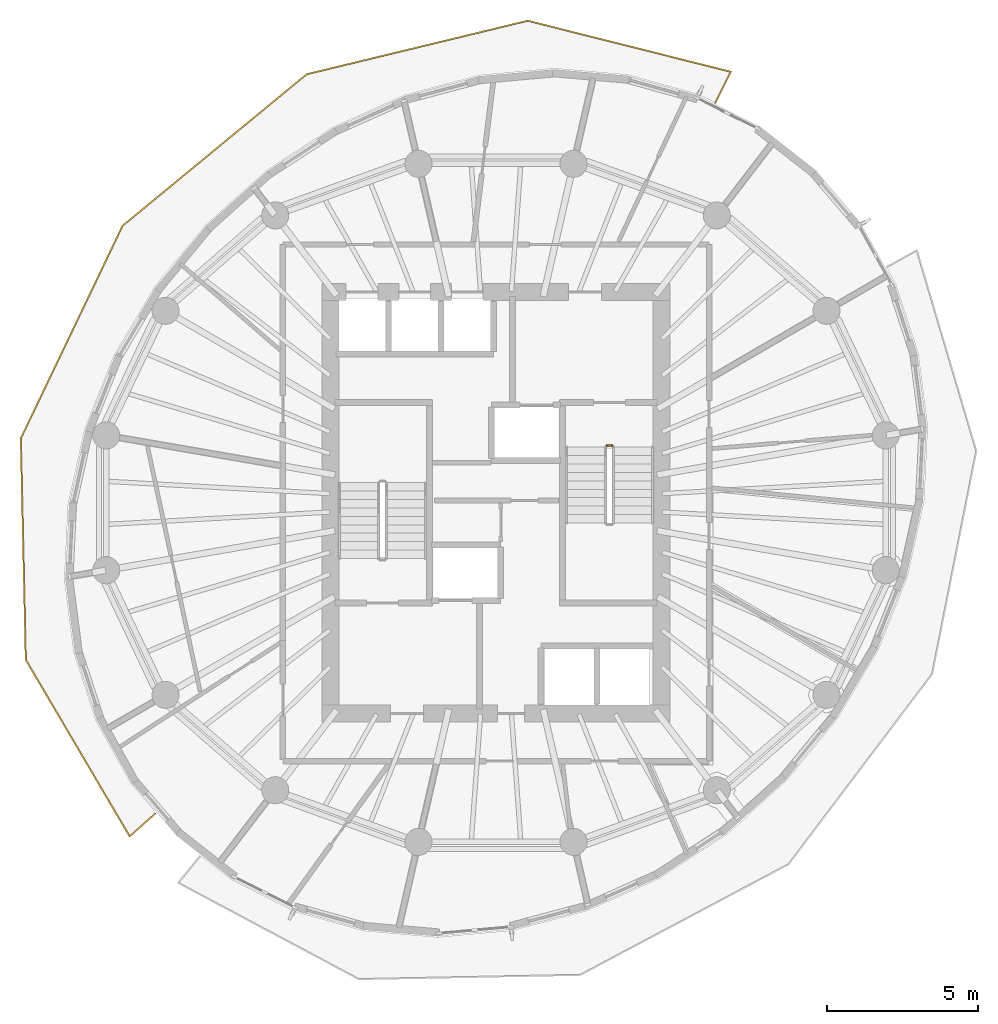
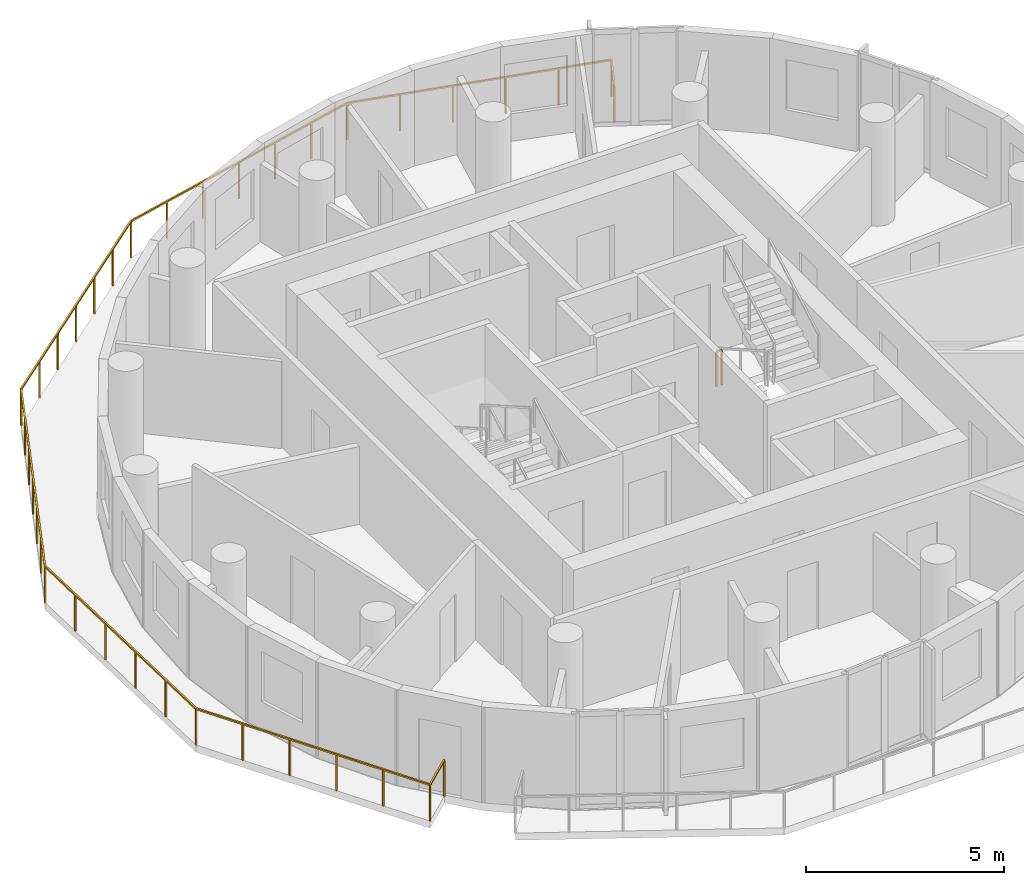
# One storey, part 9 of 10: 2 railings.
"""IFC4 building model written with IfcOpenShell, lengths in metres."""

from ifc_helpers import new_model, si_unit, direction, frame, origin, origin_2d, place, context, subcontext, project, spatial, rectangle, extrude, material, type_object, element, save


model = new_model("IFC4")

# Units and contexts
model_context = context("Model", 3, precision=1e-05, world=origin(), true_north=direction((0.0, 1.0)))
body_context = subcontext(model_context, "Body", "Model", "MODEL_VIEW")
ifc_project = project(units=[si_unit("LENGTHUNIT", "METRE"), si_unit("AREAUNIT", "SQUARE_METRE"), si_unit("VOLUMEUNIT", "CUBIC_METRE"), si_unit("PLANEANGLEUNIT", "RADIAN"), si_unit("MASSUNIT", "GRAM", prefix="KILO")], contexts=[model_context])

# Site, building, storey
site_placement = place(None, origin())
site = spatial("IfcSite", under=ifc_project, at=site_placement, CompositionType="ELEMENT")
building_placement = place(site_placement, origin())
building = spatial("IfcBuilding", under=site, at=building_placement, Name="Veldorim Arch Residences", CompositionType="ELEMENT")
storey_placement = place(building_placement, frame((0.0, 0.0, 188.639892578125)))
storey = spatial("IfcBuildingStorey", under=building, at=storey_placement, Name="L56", CompositionType="ELEMENT", Elevation=188.639892578125)

# Railings
ifc_material_1 = material(Name="Aluminium", Category="aluminium")
railing_type_1 = type_object("IfcRailingType", Name="Balcony & Terrace Laminated Glass Balustrade 1150", PredefinedType="BALUSTRADE", material=ifc_material_1)
railing_1_placement = place(storey_placement, frame((39.28564453125, 37.28955078125, 0.0)))
element("IfcRailing", 1, at=railing_1_placement, inside=storey, type_object=railing_type_1, Name="L56 crescent balcony safety balustrade A", PredefinedType="BALUSTRADE", context=body_context, shape_type="SweptSolid", body=[
    extrude(rectangle(XDim=0.048095703125, YDim=0.048095703125, at=origin_2d()), frame((0.0, 0.0, 1.1259765625), z_axis=(0.447723022826, 0.894172295943, 0.0), x_axis=(-0.894172295943, 0.447723022826, 0.0)), (0.0, 0.0, 1.0), 1.150146484375),
    extrude(rectangle(XDim=0.048095703125, YDim=0.048095703125, at=origin_2d()), frame((0.514892578125, 1.0283203125, 1.1259765625), z_axis=(-0.969867306895, 0.243633755906, 0.0), x_axis=(-0.243633755906, -0.969867306895, 0.0)), (0.0, 0.0, 1.0), 6.95654296875),
    extrude(rectangle(XDim=0.048095703125, YDim=0.048095703125, at=origin_2d()), frame((-6.23193359375, 2.72314453125, 1.1259765625), z_axis=(-0.971974853361, -0.235084845181, 0.0), x_axis=(0.235084845181, -0.971974853361, 0.0)), (0.0, 0.0, 1.0), 7.55517578125),
    extrude(rectangle(XDim=0.048095703125, YDim=0.048095703125, at=origin_2d()), frame((-13.575439453125, 0.947021484375, 1.1259765625), z_axis=(-0.772143770454, -0.63544787178, 0.0), x_axis=(0.63544787178, -0.772143770454, 0.0)), (0.0, 0.0, 1.0), 7.919189453125),
    extrude(rectangle(XDim=0.048095703125, YDim=0.048095703125, at=origin_2d()), frame((-19.690185546875, -4.085205078125, 1.1259765625), z_axis=(-0.431709195484, -0.902012843886, 0.0), x_axis=(0.902012843886, -0.431709195484, 0.0)), (0.0, 0.0, 1.0), 7.831298828125),
    extrude(rectangle(XDim=0.048095703125, YDim=0.048095703125, at=origin_2d()), frame((-23.071044921875, -11.149169921875, 1.1259765625), z_axis=(0.022566116971, -0.99974535276, 0.0), x_axis=(0.99974535276, 0.022566116971, 0.0)), (0.0, 0.0, 1.0), 7.35693359375),
    extrude(rectangle(XDim=0.048095703125, YDim=0.048095703125, at=origin_2d()), frame((-22.905029296875, -18.504150390625, 1.1259765625), z_axis=(0.506946480166, -0.861977532333, 0.0), x_axis=(0.861977532333, 0.506946480166, 0.0)), (0.0, 0.0, 1.0), 6.809326171875),
    extrude(rectangle(XDim=0.048095703125, YDim=0.048095703125, at=origin_2d()), frame((-19.453125, -24.37353515625, 1.1259765625), z_axis=(0.745485535106, 0.666521805305, 0.0), x_axis=(-0.666521805305, 0.745485535106, 0.0)), (0.0, 0.0, 1.0), 1.150146484375),
    extrude(rectangle(XDim=0.0419921875, YDim=0.0419921875, at=origin_2d()), origin(), (0.0, 0.0, 1.0), 1.101806640625),
    extrude(rectangle(XDim=0.0419921875, YDim=0.0419921875, at=origin_2d()), frame((0.514892578125, 1.0283203125, 0.0)), (0.0, 0.0, 1.0), 1.101806640625),
    extrude(rectangle(XDim=0.0419921875, YDim=0.0419921875, at=origin_2d()), frame((-0.83447265625, 1.3671875, 0.0)), (0.0, 0.0, 1.0), 1.101806640625),
    extrude(rectangle(XDim=0.0419921875, YDim=0.0419921875, at=origin_2d()), frame((-2.183837890625, 1.706298828125, 0.0)), (0.0, 0.0, 1.0), 1.101806640625),
    extrude(rectangle(XDim=0.0419921875, YDim=0.0419921875, at=origin_2d()), frame((-3.533203125, 2.045166015625, 0.0)), (0.0, 0.0, 1.0), 1.101806640625),
    extrude(rectangle(XDim=0.0419921875, YDim=0.0419921875, at=origin_2d()), frame((-4.882568359375, 2.38427734375, 0.0)), (0.0, 0.0, 1.0), 1.101806640625),
    extrude(rectangle(XDim=0.0419921875, YDim=0.0419921875, at=origin_2d()), frame((-6.23193359375, 2.72314453125, 0.0)), (0.0, 0.0, 1.0), 1.101806640625),
    extrude(rectangle(XDim=0.0419921875, YDim=0.0419921875, at=origin_2d()), frame((-7.455810546875, 2.42724609375, 0.0)), (0.0, 0.0, 1.0), 1.101806640625),
    extrude(rectangle(XDim=0.0419921875, YDim=0.0419921875, at=origin_2d()), frame((-8.6796875, 2.131103515625, 0.0)), (0.0, 0.0, 1.0), 1.101806640625),
    extrude(rectangle(XDim=0.0419921875, YDim=0.0419921875, at=origin_2d()), frame((-9.90380859375, 1.8349609375, 0.0)), (0.0, 0.0, 1.0), 1.101806640625),
    extrude(rectangle(XDim=0.0419921875, YDim=0.0419921875, at=origin_2d()), frame((-11.127685546875, 1.5390625, 0.0)), (0.0, 0.0, 1.0), 1.101806640625),
    extrude(rectangle(XDim=0.0419921875, YDim=0.0419921875, at=origin_2d()), frame((-12.3515625, 1.2431640625, 0.0)), (0.0, 0.0, 1.0), 1.101806640625),
    extrude(rectangle(XDim=0.0419921875, YDim=0.0419921875, at=origin_2d()), frame((-13.575439453125, 0.947021484375, 0.0)), (0.0, 0.0, 1.0), 1.101806640625),
    extrude(rectangle(XDim=0.0419921875, YDim=0.0419921875, at=origin_2d()), frame((-14.594482421875, 0.1083984375, 0.0)), (0.0, 0.0, 1.0), 1.101806640625),
    extrude(rectangle(XDim=0.0419921875, YDim=0.0419921875, at=origin_2d()), frame((-15.61376953125, -0.73046875, 0.0)), (0.0, 0.0, 1.0), 1.101806640625),
    extrude(rectangle(XDim=0.0419921875, YDim=0.0419921875, at=origin_2d()), frame((-16.6328125, -1.569091796875, 0.0)), (0.0, 0.0, 1.0), 1.101806640625),
    extrude(rectangle(XDim=0.0419921875, YDim=0.0419921875, at=origin_2d()), frame((-17.65185546875, -2.40771484375, 0.0)), (0.0, 0.0, 1.0), 1.101806640625),
    extrude(rectangle(XDim=0.0419921875, YDim=0.0419921875, at=origin_2d()), frame((-18.671142578125, -3.24658203125, 0.0)), (0.0, 0.0, 1.0), 1.101806640625),
    extrude(rectangle(XDim=0.0419921875, YDim=0.0419921875, at=origin_2d()), frame((-19.690185546875, -4.085205078125, 0.0)), (0.0, 0.0, 1.0), 1.101806640625),
    extrude(rectangle(XDim=0.0419921875, YDim=0.0419921875, at=origin_2d()), frame((-20.253662109375, -5.262451171875, 0.0)), (0.0, 0.0, 1.0), 1.101806640625),
    extrude(rectangle(XDim=0.0419921875, YDim=0.0419921875, at=origin_2d()), frame((-20.817138671875, -6.43994140625, 0.0)), (0.0, 0.0, 1.0), 1.101806640625),
    extrude(rectangle(XDim=0.0419921875, YDim=0.0419921875, at=origin_2d()), frame((-21.380615234375, -7.6171875, 0.0)), (0.0, 0.0, 1.0), 1.101806640625),
    extrude(rectangle(XDim=0.0419921875, YDim=0.0419921875, at=origin_2d()), frame((-21.944091796875, -8.79443359375, 0.0)), (0.0, 0.0, 1.0), 1.101806640625),
    extrude(rectangle(XDim=0.0419921875, YDim=0.0419921875, at=origin_2d()), frame((-22.507568359375, -9.971923828125, 0.0)), (0.0, 0.0, 1.0), 1.101806640625),
    extrude(rectangle(XDim=0.0419921875, YDim=0.0419921875, at=origin_2d()), frame((-23.071044921875, -11.149169921875, 0.0)), (0.0, 0.0, 1.0), 1.101806640625),
    extrude(rectangle(XDim=0.0419921875, YDim=0.0419921875, at=origin_2d()), frame((-23.037841796875, -12.6201171875, 0.0)), (0.0, 0.0, 1.0), 1.101806640625),
    extrude(rectangle(XDim=0.0419921875, YDim=0.0419921875, at=origin_2d()), frame((-23.004638671875, -14.091064453125, 0.0)), (0.0, 0.0, 1.0), 1.101806640625),
    extrude(rectangle(XDim=0.0419921875, YDim=0.0419921875, at=origin_2d()), frame((-22.971435546875, -15.562255859375, 0.0)), (0.0, 0.0, 1.0), 1.101806640625),
    extrude(rectangle(XDim=0.0419921875, YDim=0.0419921875, at=origin_2d()), frame((-22.938232421875, -17.033203125, 0.0)), (0.0, 0.0, 1.0), 1.101806640625),
    extrude(rectangle(XDim=0.0419921875, YDim=0.0419921875, at=origin_2d()), frame((-22.905029296875, -18.504150390625, 0.0)), (0.0, 0.0, 1.0), 1.101806640625),
    extrude(rectangle(XDim=0.0419921875, YDim=0.0419921875, at=origin_2d()), frame((-22.214599609375, -19.677978515625, 0.0)), (0.0, 0.0, 1.0), 1.101806640625),
    extrude(rectangle(XDim=0.0419921875, YDim=0.0419921875, at=origin_2d()), frame((-21.524169921875, -20.851806640625, 0.0)), (0.0, 0.0, 1.0), 1.101806640625),
    extrude(rectangle(XDim=0.0419921875, YDim=0.0419921875, at=origin_2d()), frame((-20.833984375, -22.02587890625, 0.0)), (0.0, 0.0, 1.0), 1.101806640625),
    extrude(rectangle(XDim=0.0419921875, YDim=0.0419921875, at=origin_2d()), frame((-20.1435546875, -23.19970703125, 0.0)), (0.0, 0.0, 1.0), 1.101806640625),
    extrude(rectangle(XDim=0.0419921875, YDim=0.0419921875, at=origin_2d()), frame((-19.453125, -24.37353515625, 0.0)), (0.0, 0.0, 1.0), 1.101806640625),
    extrude(rectangle(XDim=0.0419921875, YDim=0.0419921875, at=origin_2d()), frame((-18.595703125, -23.60693359375, 0.0)), (0.0, 0.0, 1.0), 1.101806640625),
])
ifc_material_2 = material(Name="Steel S355", Category="steel")
railing_type_2 = type_object("IfcRailingType", Name="Galvanised Steel Stair Safety Guardrail 1100", PredefinedType="GUARDRAIL", material=ifc_material_2)
railing_2_placement = place(storey_placement, frame((35.68994140625, 25.89990234375, 0.0)))
element("IfcRailing", 2, at=railing_2_placement, inside=storey, type_object=railing_type_2, Name="L56 ST-2 stair guard 4", PredefinedType="GUARDRAIL", context=body_context, shape_type="SweptSolid", body=[
    extrude(rectangle(XDim=0.048095703125, YDim=0.048095703125, at=origin_2d()), frame((0.0, 0.0, 1.076171875), z_axis=(1.0, 0.0, 0.0), x_axis=(0.0, 1.0, 0.0)), (0.0, 0.0, 1.0), 0.16015625),
    extrude(rectangle(XDim=0.0419921875, YDim=0.0419921875, at=origin_2d()), origin(), (0.0, 0.0, 1.0), 1.052001953125),
    extrude(rectangle(XDim=0.0419921875, YDim=0.0419921875, at=origin_2d()), frame((0.16015625, 0.0, 0.0)), (0.0, 0.0, 1.0), 1.052001953125),
])

save(model, "model.ifc")
